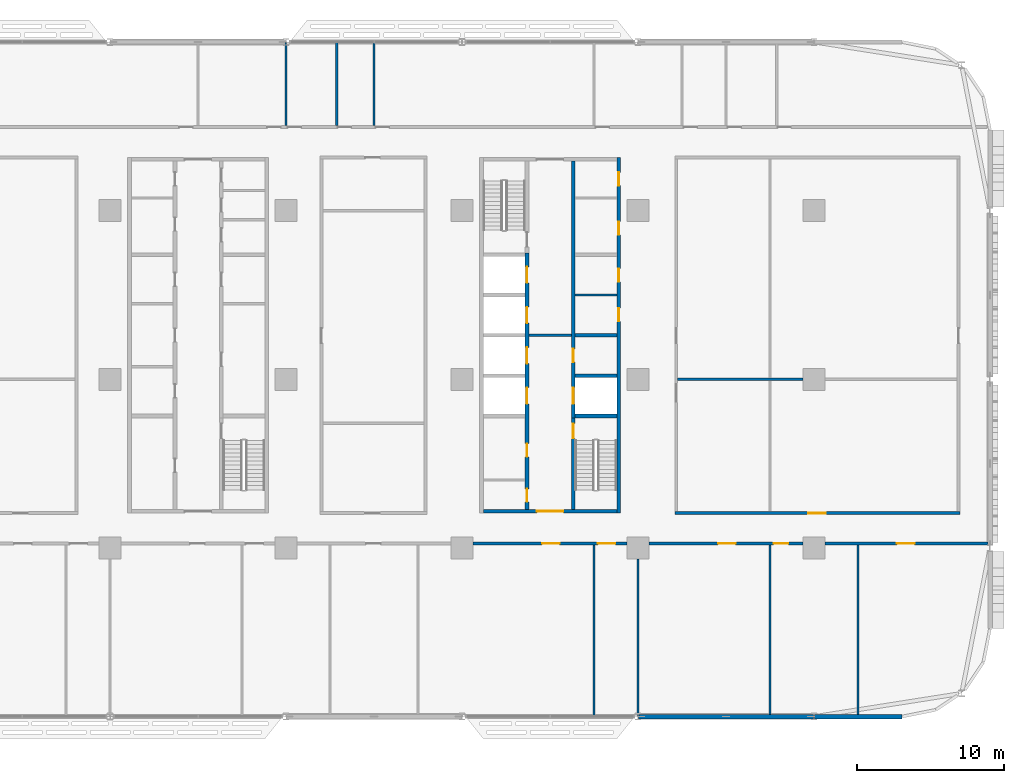
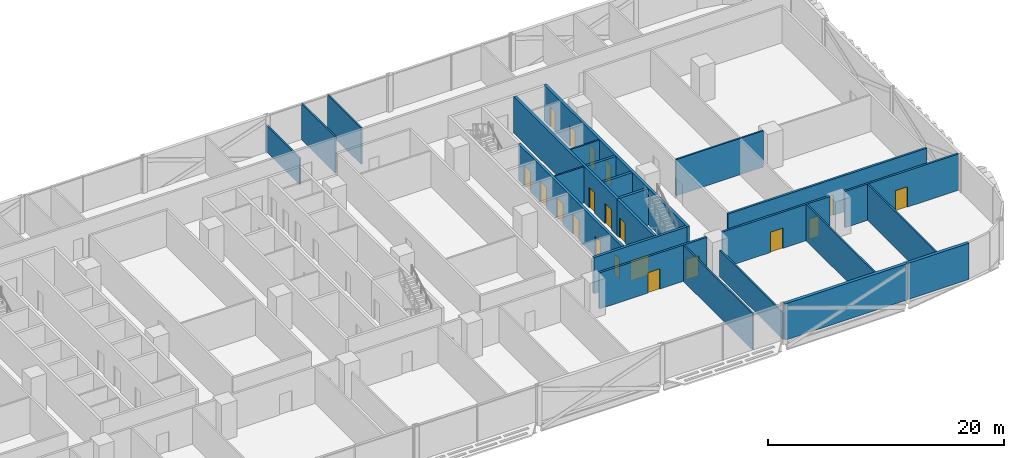
# One storey, part 16 of 29: 24 walls, 20 doors, 20 openings.
"""IFC4 building model written with IfcOpenShell, lengths in metres."""

from ifc_helpers import new_model, si_unit, direction, frame, frame_2d, origin, place, context, subcontext, project, spatial, rectangle, extrude, material, layer, layer_set, type_object, element, fill, save


model = new_model("IFC4")

# Units and contexts
model_context = context("Model", 3, precision=1e-05, world=origin(), true_north=direction((0.0, 1.0)))
body_context = subcontext(model_context, "Body", "Model", "MODEL_VIEW")
ifc_project = project(units=[si_unit("LENGTHUNIT", "METRE"), si_unit("AREAUNIT", "SQUARE_METRE"), si_unit("VOLUMEUNIT", "CUBIC_METRE"), si_unit("PLANEANGLEUNIT", "RADIAN"), si_unit("MASSUNIT", "GRAM", prefix="KILO")], contexts=[model_context])

# Site, building, storey
site_placement = place(None, origin())
site = spatial("IfcSite", under=ifc_project, at=site_placement, CompositionType="ELEMENT")
building_placement = place(site_placement, origin())
building = spatial("IfcBuilding", under=site, at=building_placement, Name="Mahtab Terrace Research Tower", CompositionType="ELEMENT")
storey_placement = place(building_placement, frame((0.0, 0.0, 76.10009765625)))
storey = spatial("IfcBuildingStorey", under=building, at=storey_placement, Name="L17", CompositionType="ELEMENT", Elevation=76.10009765625)

# Walls
ifc_material_1 = material(Name="Gypsum board partition")
ifc_layer_1 = layer(ifc_material_1, 0.14990234375)
ifc_layer_set_1 = layer_set([ifc_layer_1], Name="Core partition 150")
wall_type_1 = type_object("IfcWallType", Name="Core partition 150", PredefinedType="PARTITIONING", material=ifc_layer_set_1)
wall_1_placement = place(storey_placement, frame((22.550048828125, 3.0, 0.0), z_axis=(0.0, 0.0, 1.0), x_axis=(1.0, 0.0, 0.0)))
element("IfcWall", 1, at=wall_1_placement, inside=storey, type_object=wall_type_1, Name="Core wall C ffl", PredefinedType="PARTITIONING", context=body_context, shape_type="SweptSolid", body=[
    extrude(rectangle(XDim=2.89990234375, YDim=0.14990234375, at=frame_2d((1.449951171875, 0.0))), origin(), (0.0, 0.0, 1.0), 3.75),
])
wall_2_placement = place(storey_placement, frame((25.699951171875, 5.75, 0.0), z_axis=(0.0, 0.0, 1.0), x_axis=(1.0, 0.0, 0.0)))
element("IfcWall", 2, at=wall_2_placement, inside=storey, type_object=wall_type_1, Name="Core wall C pEL275", PredefinedType="PARTITIONING", context=body_context, shape_type="SweptSolid", body=[
    extrude(rectangle(XDim=2.85009765625, YDim=0.14990234375, at=frame_2d((1.425048828125, 0.0))), origin(), (0.0, 0.0, 1.0), 3.75),
])

# Wall, openings, doors
ifc_material_2 = material(Name="Concrete C70/85", Category="concrete")
ifc_layer_2 = layer(ifc_material_2, 0.25)
ifc_layer_set_2 = layer_set([ifc_layer_2], Name="Core wall 250")
wall_type_2 = type_object("IfcWallType", Name="Core wall 250", PredefinedType="SOLIDWALL", material=ifc_layer_set_2)
wall_3_placement = place(storey_placement, frame((28.675048828125, -9.125, 0.0), z_axis=(0.0, 0.0, 1.0), x_axis=(0.0, 1.0, 0.0)))
wall_3 = element("IfcWall", 3, at=wall_3_placement, inside=storey, type_object=wall_type_2, Name="Core wall C outerE", PredefinedType="SOLIDWALL", context=body_context, shape_type="SweptSolid", body=[
    extrude(rectangle(XDim=24.25, YDim=0.25, at=frame_2d((12.125, 0.0))), origin(), (0.0, 0.0, 1.0), 3.75),
])
opening_1_placement = place(wall_3_placement, frame((13.074951171875, 0.0, 0.0)))
opening_1 = element("IfcOpeningElement", 4, at=opening_1_placement, cuts=wall_3, Name="Opening C-R2", PredefinedType="OPENING", context=body_context, shape_type="SweptSolid", body=[
    extrude(rectangle(XDim=0.89990234375, YDim=2.10009765625, at=frame_2d((0.449951171875, 1.050048828125))), frame((0.0, 0.135009765625, 0.0), z_axis=(0.0, -1.0, 0.0), x_axis=(1.0, 0.0, 0.0)), (0.0, 0.0, 1.0), 0.27001953125),
])
opening_2_placement = place(wall_3_placement, frame((15.77490234375, 0.0, 0.0)))
opening_2 = element("IfcOpeningElement", 5, at=opening_2_placement, cuts=wall_3, Name="Opening C-R3", PredefinedType="OPENING", context=body_context, shape_type="SweptSolid", body=[
    extrude(rectangle(XDim=0.89990234375, YDim=2.10009765625, at=frame_2d((0.449951171875, 1.050048828125))), frame((0.0, 0.135009765625, 0.0), z_axis=(0.0, -1.0, 0.0), x_axis=(1.0, 0.0, 0.0)), (0.0, 0.0, 1.0), 0.27001953125),
])
opening_3_placement = place(wall_3_placement, frame((18.97509765625, 0.0, 0.0)))
opening_3 = element("IfcOpeningElement", 6, at=opening_3_placement, cuts=wall_3, Name="Opening C-R6", PredefinedType="OPENING", context=body_context, shape_type="SweptSolid", body=[
    extrude(rectangle(XDim=0.89990234375, YDim=2.10009765625, at=frame_2d((0.449951171875, 1.050048828125))), frame((0.0, 0.135009765625, 0.0), z_axis=(0.0, -1.0, 0.0), x_axis=(1.0, 0.0, 0.0)), (0.0, 0.0, 1.0), 0.27001953125),
])
opening_4_placement = place(wall_3_placement, frame((22.327392578125, 0.0, 0.0)))
opening_4 = element("IfcOpeningElement", 7, at=opening_4_placement, cuts=wall_3, Name="Opening C-R7", PredefinedType="OPENING", context=body_context, shape_type="SweptSolid", body=[
    extrude(rectangle(XDim=0.89990234375, YDim=2.10009765625, at=frame_2d((0.449951171875, 1.050048828125))), frame((0.0, 0.135009765625, 0.0), z_axis=(0.0, -1.0, 0.0), x_axis=(1.0, 0.0, 0.0)), (0.0, 0.0, 1.0), 0.27001953125),
])
ifc_material_3 = material(Name="Steel fire door", Category="steel")
door_type_1 = type_object("IfcDoorType", Name="Room door 900x2100 1 HR", OperationType="NOTDEFINED", PredefinedType="DOOR", material=ifc_material_3)
door_1_placement = place(opening_1_placement, origin())
door_1 = element("IfcDoor", 8, at=door_1_placement, inside=storey, type_object=door_type_1, Name="Document store door", OperationType="SINGLE_SWING_RIGHT", OverallHeight=2.10009765625, OverallWidth=0.89990234375, PredefinedType="DOOR", context=body_context, shape_type="SweptSolid", body=[
    extrude(rectangle(XDim=0.89990234375, YDim=2.10009765625, at=frame_2d((0.449951171875, 1.050048828125))), frame((0.0, 0.02490234375, 0.0), z_axis=(0.0, -1.0, 0.0), x_axis=(1.0, 0.0, 0.0)), (0.0, 0.0, 1.0), 0.050048828125),
])
fill(opening_1, door_1)
door_2_placement = place(opening_2_placement, origin())
door_2 = element("IfcDoor", 9, at=door_2_placement, inside=storey, type_object=door_type_1, Name="IT equipment room door", OperationType="SINGLE_SWING_LEFT", OverallHeight=2.10009765625, OverallWidth=0.89990234375, PredefinedType="DOOR", context=body_context, shape_type="SweptSolid", body=[
    extrude(rectangle(XDim=0.89990234375, YDim=2.10009765625, at=frame_2d((0.449951171875, 1.050048828125))), frame((0.0, 0.02490234375, 0.0), z_axis=(0.0, -1.0, 0.0), x_axis=(1.0, 0.0, 0.0)), (0.0, 0.0, 1.0), 0.050048828125),
])
fill(opening_2, door_2)
door_3_placement = place(opening_3_placement, origin())
door_3 = element("IfcDoor", 10, at=door_3_placement, inside=storey, type_object=door_type_1, Name="Pantry door", OperationType="SINGLE_SWING_RIGHT", OverallHeight=2.10009765625, OverallWidth=0.89990234375, PredefinedType="DOOR", context=body_context, shape_type="SweptSolid", body=[
    extrude(rectangle(XDim=0.89990234375, YDim=2.10009765625, at=frame_2d((0.449951171875, 1.050048828125))), frame((0.0, 0.02490234375, 0.0), z_axis=(0.0, -1.0, 0.0), x_axis=(1.0, 0.0, 0.0)), (0.0, 0.0, 1.0), 0.050048828125),
])
fill(opening_3, door_3)
door_4_placement = place(opening_4_placement, origin())
door_4 = element("IfcDoor", 11, at=door_4_placement, inside=storey, type_object=door_type_1, Name="Linen store door", OperationType="SINGLE_SWING_LEFT", OverallHeight=2.10009765625, OverallWidth=0.89990234375, PredefinedType="DOOR", context=body_context, shape_type="SweptSolid", body=[
    extrude(rectangle(XDim=0.89990234375, YDim=2.10009765625, at=frame_2d((0.449951171875, 1.050048828125))), frame((0.0, 0.02490234375, 0.0), z_axis=(0.0, -1.0, 0.0), x_axis=(1.0, 0.0, 0.0)), (0.0, 0.0, 1.0), 0.050048828125),
])
fill(opening_4, door_4)

# Wall, opening, door
wall_4_placement = place(storey_placement, frame((28.550048828125, -9.0, 0.0), z_axis=(0.0, 0.0, 1.0), x_axis=(-1.0, 0.0, 0.0)))
wall_4 = element("IfcWall", 12, at=wall_4_placement, inside=storey, type_object=wall_type_2, Name="Core wall C endS", PredefinedType="SOLIDWALL", context=body_context, shape_type="SweptSolid", body=[
    extrude(rectangle(XDim=9.10009765625, YDim=0.25, at=frame_2d((4.550048828125, 0.0))), origin(), (0.0, 0.0, 1.0), 3.75),
])
opening_5_placement = place(wall_4_placement, frame((3.64990234375, 0.0, 0.0)))
opening_5 = element("IfcOpeningElement", 13, at=opening_5_placement, cuts=wall_4, Name="Opening C-S1", PredefinedType="OPENING", context=body_context, shape_type="SweptSolid", body=[
    extrude(rectangle(XDim=1.800048828125, YDim=2.10009765625, at=frame_2d((0.89990234375, 1.050048828125))), frame((0.0, 0.135009765625, 0.0), z_axis=(0.0, -1.0, 0.0), x_axis=(1.0, 0.0, 0.0)), (0.0, 0.0, 1.0), 0.27001953125),
])
door_type_2 = type_object("IfcDoorType", Name="Lobby double door 1800x2100 1 HR", OperationType="DOUBLE_DOOR_SINGLE_SWING", PredefinedType="DOOR", material=ifc_material_3)
door_5_placement = place(opening_5_placement, origin())
door_5 = element("IfcDoor", 14, at=door_5_placement, inside=storey, type_object=door_type_2, Name="Core entrance door C S", OperationType="DOUBLE_DOOR_SINGLE_SWING", OverallHeight=2.10009765625, OverallWidth=1.800048828125, PredefinedType="DOOR", context=body_context, shape_type="SweptSolid", body=[
    extrude(rectangle(XDim=1.800048828125, YDim=2.10009765625, at=frame_2d((0.89990234375, 1.050048828125))), frame((0.0, 0.02490234375, 0.0), z_axis=(0.0, -1.0, 0.0), x_axis=(1.0, 0.0, 0.0)), (0.0, 0.0, 1.0), 0.050048828125),
])
fill(opening_5, door_5)

# Wall, openings, doors
wall_5_placement = place(storey_placement, frame((22.425048828125, -8.875, 0.0), z_axis=(0.0, 0.0, 1.0), x_axis=(0.0, 1.0, 0.0)))
wall_5 = element("IfcWall", 15, at=wall_5_placement, inside=storey, type_object=wall_type_2, Name="Core wall C innerWSL", PredefinedType="SOLIDWALL", context=body_context, shape_type="SweptSolid", body=[
    extrude(rectangle(XDim=17.5, YDim=0.25, at=frame_2d((8.75, 0.0))), origin(), (0.0, 0.0, 1.0), 3.75),
])
opening_6_placement = place(wall_5_placement, frame((7.199951171875, 0.0, 0.0)))
opening_6 = element("IfcOpeningElement", 16, at=opening_6_placement, cuts=wall_5, Name="Opening LD17-L17", PredefinedType="OPENING", context=body_context, shape_type="SweptSolid", body=[
    extrude(rectangle(XDim=1.10009765625, YDim=2.10009765625, at=frame_2d((0.550048828125, 1.050048828125))), frame((0.0, 0.135009765625, 0.0), z_axis=(0.0, -1.0, 0.0), x_axis=(1.0, 0.0, 0.0)), (0.0, 0.0, 1.0), 0.27001953125),
])
opening_7_placement = place(wall_5_placement, frame((9.949951171875, 0.0, 0.0)))
opening_7 = element("IfcOpeningElement", 17, at=opening_7_placement, cuts=wall_5, Name="Opening LD18-L17", PredefinedType="OPENING", context=body_context, shape_type="SweptSolid", body=[
    extrude(rectangle(XDim=1.10009765625, YDim=2.10009765625, at=frame_2d((0.550048828125, 1.050048828125))), frame((0.0, 0.135009765625, 0.0), z_axis=(0.0, -1.0, 0.0), x_axis=(1.0, 0.0, 0.0)), (0.0, 0.0, 1.0), 0.27001953125),
])
opening_8_placement = place(wall_5_placement, frame((12.699951171875, 0.0, 0.0)))
opening_8 = element("IfcOpeningElement", 18, at=opening_8_placement, cuts=wall_5, Name="Opening LD19-L17", PredefinedType="OPENING", context=body_context, shape_type="SweptSolid", body=[
    extrude(rectangle(XDim=1.10009765625, YDim=2.10009765625, at=frame_2d((0.550048828125, 1.050048828125))), frame((0.0, 0.135009765625, 0.0), z_axis=(0.0, -1.0, 0.0), x_axis=(1.0, 0.0, 0.0)), (0.0, 0.0, 1.0), 0.27001953125),
])
opening_9_placement = place(wall_5_placement, frame((15.449951171875, 0.0, 0.0)))
opening_9 = element("IfcOpeningElement", 19, at=opening_9_placement, cuts=wall_5, Name="Opening LD20-L17", PredefinedType="OPENING", context=body_context, shape_type="SweptSolid", body=[
    extrude(rectangle(XDim=1.10009765625, YDim=2.10009765625, at=frame_2d((0.550048828125, 1.050048828125))), frame((0.0, 0.135009765625, 0.0), z_axis=(0.0, -1.0, 0.0), x_axis=(1.0, 0.0, 0.0)), (0.0, 0.0, 1.0), 0.27001953125),
])
opening_10_placement = place(wall_5_placement, frame((0.512451171875, 0.0, 0.0)))
opening_10 = element("IfcOpeningElement", 20, at=opening_10_placement, cuts=wall_5, Name="Opening C-R4", PredefinedType="OPENING", context=body_context, shape_type="SweptSolid", body=[
    extrude(rectangle(XDim=0.89990234375, YDim=2.10009765625, at=frame_2d((0.449951171875, 1.050048828125))), frame((0.0, 0.135009765625, 0.0), z_axis=(0.0, -1.0, 0.0), x_axis=(1.0, 0.0, 0.0)), (0.0, 0.0, 1.0), 0.27001953125),
])
opening_11_placement = place(wall_5_placement, frame((3.58740234375, 0.0, 0.0)))
opening_11 = element("IfcOpeningElement", 21, at=opening_11_placement, cuts=wall_5, Name="Opening C-R5", PredefinedType="OPENING", context=body_context, shape_type="SweptSolid", body=[
    extrude(rectangle(XDim=0.89990234375, YDim=2.10009765625, at=frame_2d((0.449951171875, 1.050048828125))), frame((0.0, 0.135009765625, 0.0), z_axis=(0.0, -1.0, 0.0), x_axis=(1.0, 0.0, 0.0)), (0.0, 0.0, 1.0), 0.27001953125),
])
ifc_material_4 = material(Name="Stainless steel AISI 304", Category="steel")
door_type_3 = type_object("IfcDoorType", Name="Landing door 1100x2100", OperationType="DOUBLE_DOOR_SLIDING", PredefinedType="DOOR", material=ifc_material_4)
door_6_placement = place(opening_6_placement, origin())
door_6 = element("IfcDoor", 22, at=door_6_placement, inside=storey, type_object=door_type_3, Name="Landing door SV1 L17", OperationType="DOUBLE_DOOR_SLIDING", OverallHeight=2.10009765625, OverallWidth=1.10009765625, PredefinedType="DOOR", context=body_context, shape_type="SweptSolid", body=[
    extrude(rectangle(XDim=1.10009765625, YDim=2.10009765625, at=frame_2d((0.550048828125, 1.050048828125))), frame((0.0, 0.02490234375, 0.0), z_axis=(0.0, -1.0, 0.0), x_axis=(1.0, 0.0, 0.0)), (0.0, 0.0, 1.0), 0.050048828125),
])
fill(opening_6, door_6)
door_7_placement = place(opening_7_placement, origin())
door_7 = element("IfcDoor", 23, at=door_7_placement, inside=storey, type_object=door_type_3, Name="Landing door SV2 L17", OperationType="DOUBLE_DOOR_SLIDING", OverallHeight=2.10009765625, OverallWidth=1.10009765625, PredefinedType="DOOR", context=body_context, shape_type="SweptSolid", body=[
    extrude(rectangle(XDim=1.10009765625, YDim=2.10009765625, at=frame_2d((0.550048828125, 1.050048828125))), frame((0.0, 0.02490234375, 0.0), z_axis=(0.0, -1.0, 0.0), x_axis=(1.0, 0.0, 0.0)), (0.0, 0.0, 1.0), 0.050048828125),
])
fill(opening_7, door_7)
door_8_placement = place(opening_8_placement, origin())
door_8 = element("IfcDoor", 24, at=door_8_placement, inside=storey, type_object=door_type_3, Name="Landing door FF1 L17", OperationType="DOUBLE_DOOR_SLIDING", OverallHeight=2.10009765625, OverallWidth=1.10009765625, PredefinedType="DOOR", context=body_context, shape_type="SweptSolid", body=[
    extrude(rectangle(XDim=1.10009765625, YDim=2.10009765625, at=frame_2d((0.550048828125, 1.050048828125))), frame((0.0, 0.02490234375, 0.0), z_axis=(0.0, -1.0, 0.0), x_axis=(1.0, 0.0, 0.0)), (0.0, 0.0, 1.0), 0.050048828125),
])
fill(opening_8, door_8)
door_9_placement = place(opening_9_placement, origin())
door_9 = element("IfcDoor", 25, at=door_9_placement, inside=storey, type_object=door_type_3, Name="Landing door FF2 L17", OperationType="DOUBLE_DOOR_SLIDING", OverallHeight=2.10009765625, OverallWidth=1.10009765625, PredefinedType="DOOR", context=body_context, shape_type="SweptSolid", body=[
    extrude(rectangle(XDim=1.10009765625, YDim=2.10009765625, at=frame_2d((0.550048828125, 1.050048828125))), frame((0.0, 0.02490234375, 0.0), z_axis=(0.0, -1.0, 0.0), x_axis=(1.0, 0.0, 0.0)), (0.0, 0.0, 1.0), 0.050048828125),
])
fill(opening_9, door_9)
door_10_placement = place(opening_10_placement, origin())
door_10 = element("IfcDoor", 26, at=door_10_placement, inside=storey, type_object=door_type_1, Name="Accessible WC door", OperationType="SINGLE_SWING_RIGHT", OverallHeight=2.10009765625, OverallWidth=0.89990234375, PredefinedType="DOOR", context=body_context, shape_type="SweptSolid", body=[
    extrude(rectangle(XDim=0.89990234375, YDim=2.10009765625, at=frame_2d((0.449951171875, 1.050048828125))), frame((0.0, 0.02490234375, 0.0), z_axis=(0.0, -1.0, 0.0), x_axis=(1.0, 0.0, 0.0)), (0.0, 0.0, 1.0), 0.050048828125),
])
fill(opening_10, door_10)
door_11_placement = place(opening_11_placement, origin())
door_11 = element("IfcDoor", 27, at=door_11_placement, inside=storey, type_object=door_type_1, Name="WC block door", OperationType="SINGLE_SWING_LEFT", OverallHeight=2.10009765625, OverallWidth=0.89990234375, PredefinedType="DOOR", context=body_context, shape_type="SweptSolid", body=[
    extrude(rectangle(XDim=0.89990234375, YDim=2.10009765625, at=frame_2d((0.449951171875, 1.050048828125))), frame((0.0, 0.02490234375, 0.0), z_axis=(0.0, -1.0, 0.0), x_axis=(1.0, 0.0, 0.0)), (0.0, 0.0, 1.0), 0.050048828125),
])
fill(opening_11, door_11)

# Wall, opening, door
wall_6_placement = place(storey_placement, frame((25.574951171875, -8.875, 0.0), z_axis=(0.0, 0.0, 1.0), x_axis=(0.0, 1.0, 0.0)))
wall_6 = element("IfcWall", 28, at=wall_6_placement, inside=storey, type_object=wall_type_2, Name="Core wall C innerES", PredefinedType="SOLIDWALL", context=body_context, shape_type="SweptSolid", body=[
    extrude(rectangle(XDim=6.25, YDim=0.25, at=frame_2d((3.125, 0.0))), origin(), (0.0, 0.0, 1.0), 3.75),
])
opening_12_placement = place(wall_6_placement, frame((4.85009765625, 0.0, 0.0)))
opening_12 = element("IfcOpeningElement", 29, at=opening_12_placement, cuts=wall_6, Name="Opening C-ST4", PredefinedType="OPENING", context=body_context, shape_type="SweptSolid", body=[
    extrude(rectangle(XDim=1.0, YDim=2.10009765625, at=frame_2d((0.5, 1.050048828125))), frame((0.0, 0.135009765625, 0.0), z_axis=(0.0, -1.0, 0.0), x_axis=(1.0, 0.0, 0.0)), (0.0, 0.0, 1.0), 0.27001953125),
])
door_type_4 = type_object("IfcDoorType", Name="Stair door 1000x2100 1.5 HR", OperationType="NOTDEFINED", PredefinedType="DOOR", material=ifc_material_3)
door_12_placement = place(opening_12_placement, origin())
door_12 = element("IfcDoor", 30, at=door_12_placement, inside=storey, type_object=door_type_4, Name="Stair door ST4 L17", OperationType="SINGLE_SWING_LEFT", OverallHeight=2.10009765625, OverallWidth=1.0, PredefinedType="DOOR", context=body_context, shape_type="SweptSolid", body=[
    extrude(rectangle(XDim=1.0, YDim=2.10009765625, at=frame_2d((0.5, 1.050048828125))), frame((0.0, 0.02490234375, 0.0), z_axis=(0.0, -1.0, 0.0), x_axis=(1.0, 0.0, 0.0)), (0.0, 0.0, 1.0), 0.050048828125),
])
fill(opening_12, door_12)

# Wall, openings, doors
wall_7_placement = place(storey_placement, frame((25.574951171875, 14.875, 0.0), z_axis=(0.0, 0.0, 1.0), x_axis=(0.0, -1.0, 0.0)))
wall_7 = element("IfcWall", 31, at=wall_7_placement, inside=storey, type_object=wall_type_2, Name="Core wall C innerELN", PredefinedType="SOLIDWALL", context=body_context, shape_type="SweptSolid", body=[
    extrude(rectangle(XDim=17.5, YDim=0.25, at=frame_2d((8.75, 0.0))), origin(), (0.0, 0.0, 1.0), 3.75),
])
opening_13_placement = place(wall_7_placement, frame((15.449951171875, 0.0, 0.0)))
opening_13 = element("IfcOpeningElement", 32, at=opening_13_placement, cuts=wall_7, Name="Opening LD21-L17", PredefinedType="OPENING", context=body_context, shape_type="SweptSolid", body=[
    extrude(rectangle(XDim=1.10009765625, YDim=2.10009765625, at=frame_2d((0.550048828125, 1.050048828125))), frame((0.0, 0.135009765625, 0.0), z_axis=(0.0, -1.0, 0.0), x_axis=(1.0, 0.0, 0.0)), (0.0, 0.0, 1.0), 0.27001953125),
])
opening_14_placement = place(wall_7_placement, frame((12.800048828125, 0.0, 0.0)))
opening_14 = element("IfcOpeningElement", 33, at=opening_14_placement, cuts=wall_7, Name="Opening C-R1", PredefinedType="OPENING", context=body_context, shape_type="SweptSolid", body=[
    extrude(rectangle(XDim=0.89990234375, YDim=2.10009765625, at=frame_2d((0.449951171875, 1.050048828125))), frame((0.0, 0.135009765625, 0.0), z_axis=(0.0, -1.0, 0.0), x_axis=(1.0, 0.0, 0.0)), (0.0, 0.0, 1.0), 0.27001953125),
])
door_13_placement = place(opening_13_placement, origin())
door_13 = element("IfcDoor", 34, at=door_13_placement, inside=storey, type_object=door_type_3, Name="Landing door SV3 L17", OperationType="DOUBLE_DOOR_SLIDING", OverallHeight=2.10009765625, OverallWidth=1.10009765625, PredefinedType="DOOR", context=body_context, shape_type="SweptSolid", body=[
    extrude(rectangle(XDim=1.10009765625, YDim=2.10009765625, at=frame_2d((0.550048828125, 1.050048828125))), frame((0.0, 0.02490234375, 0.0), z_axis=(0.0, -1.0, 0.0), x_axis=(1.0, 0.0, 0.0)), (0.0, 0.0, 1.0), 0.050048828125),
])
fill(opening_13, door_13)
door_14_placement = place(opening_14_placement, origin())
door_14 = element("IfcDoor", 35, at=door_14_placement, inside=storey, type_object=door_type_1, Name="Plant room door", OperationType="SINGLE_SWING_LEFT", OverallHeight=2.10009765625, OverallWidth=0.89990234375, PredefinedType="DOOR", context=body_context, shape_type="SweptSolid", body=[
    extrude(rectangle(XDim=0.89990234375, YDim=2.10009765625, at=frame_2d((0.449951171875, 1.050048828125))), frame((0.0, 0.02490234375, 0.0), z_axis=(0.0, -1.0, 0.0), x_axis=(1.0, 0.0, 0.0)), (0.0, 0.0, 1.0), 0.050048828125),
])
fill(opening_14, door_14)

# Walls
for number, where, z_axis, x_axis, name in (
    (36, (25.699951171875, -2.5, 0.0), (0.0, 0.0, 1.0), (1.0, 0.0, 0.0), "Core wall C divE0"),
    (37, (25.699951171875, 0.25, 0.0), (0.0, 0.0, 1.0), (1.0, 0.0, 0.0), "Core wall C divE1"),
    (38, (25.699951171875, 3.0, 0.0), (0.0, 0.0, 1.0), (1.0, 0.0, 0.0), "Core wall C divE2"),
):
    element("IfcWall", number, at=place(storey_placement, frame(where, z_axis=z_axis, x_axis=x_axis)), inside=storey, type_object=wall_type_2, Name=name, PredefinedType="SOLIDWALL", context=body_context, shape_type="SweptSolid", body=[
        extrude(rectangle(XDim=2.85009765625, YDim=0.25, at=frame_2d((1.425048828125, 0.0))), origin(), (0.0, 0.0, 1.0), 3.75),
    ])
ifc_material_5 = material(Name="Black aluminium cladding panel", Category="aluminium")
ifc_layer_3 = layer(ifc_material_5, 0.300048828125)
ifc_layer_set_3 = layer_set([ifc_layer_3], Name="Opaque facade wall 300")
wall_type_3 = type_object("IfcWallType", Name="Opaque facade wall 300", PredefinedType="NOTDEFINED", material=ifc_layer_set_3)
wall_8_placement = place(storey_placement, frame((30.02392578125, -23.0, 0.0), z_axis=(0.0, 0.0, 1.0), x_axis=(1.0, 0.0, 0.0)))
element("IfcWall", 39, at=wall_8_placement, inside=storey, type_object=wall_type_3, Name="Opaque facade wall L17 S29", PredefinedType="NOTDEFINED", context=body_context, shape_type="SweptSolid", body=[
    extrude(rectangle(XDim=11.9521484375, YDim=0.300048828125, at=frame_2d((5.97607421875, 0.0))), origin(), (0.0, 0.0, 1.0), 3.75),
])
wall_9_placement = place(storey_placement, frame((42.02392578125, -23.0, 0.0), z_axis=(0.0, 0.0, 1.0), x_axis=(1.0, 0.0, 0.0)))
element("IfcWall", 40, at=wall_9_placement, inside=storey, type_object=wall_type_3, Name="Opaque facade wall L17 S30", PredefinedType="NOTDEFINED", context=body_context, shape_type="SweptSolid", body=[
    extrude(rectangle(XDim=5.97607421875, YDim=0.300048828125, at=frame_2d((2.988037109375, 0.0))), origin(), (0.0, 0.0, 1.0), 3.75),
])

# Wall, openings, doors
ifc_material_6 = material(Name="Gypsum board corridor wall on steel studs", Category="steel")
ifc_layer_4 = layer(ifc_material_6, 0.199951171875)
ifc_layer_set_4 = layer_set([ifc_layer_4], Name="WALL CORRIDOR 200")
wall_type_4 = type_object("IfcWallType", Name="WALL CORRIDOR 200", PredefinedType="PARTITIONING", material=ifc_layer_set_4)
wall_10_placement = place(storey_placement, frame((18.75, -11.199951171875, 0.0), z_axis=(0.0, 0.0, 1.0), x_axis=(1.0, 0.0, 0.0)))
wall_10 = element("IfcWall", 41, at=wall_10_placement, inside=storey, type_object=wall_type_4, Name="L17-W006", PredefinedType="PARTITIONING", context=body_context, shape_type="SweptSolid", body=[
    extrude(rectangle(XDim=10.5, YDim=0.199951171875, at=frame_2d((5.25, 0.0))), origin(), (0.0, 0.0, 1.0), 3.75),
])
opening_15_placement = place(wall_10_placement, frame((4.699951171875, 0.0, 0.0)))
opening_15 = element("IfcOpeningElement", 42, at=opening_15_placement, cuts=wall_10, Name="Opening L17-109", PredefinedType="OPENING", context=body_context, shape_type="SweptSolid", body=[
    extrude(rectangle(XDim=1.199951171875, YDim=2.10009765625, at=frame_2d((0.60009765625, 1.050048828125))), frame((0.0, 0.10986328125, 0.0), z_axis=(0.0, -1.0, 0.0), x_axis=(1.0, 0.0, 0.0)), (0.0, 0.0, 1.0), 0.219970703125),
])
opening_16_placement = place(wall_10_placement, frame((8.5, 0.0, 0.0)))
opening_16 = element("IfcOpeningElement", 43, at=opening_16_placement, cuts=wall_10, Name="Opening L17-110", PredefinedType="OPENING", context=body_context, shape_type="SweptSolid", body=[
    extrude(rectangle(XDim=1.199951171875, YDim=2.10009765625, at=frame_2d((0.60009765625, 1.050048828125))), frame((0.0, 0.10986328125, 0.0), z_axis=(0.0, -1.0, 0.0), x_axis=(1.0, 0.0, 0.0)), (0.0, 0.0, 1.0), 0.219970703125),
])
ifc_material_7 = material(Name="Timber door leaf in steel frame", Category="steel")
door_type_5 = type_object("IfcDoorType", Name="DOOR 1200X2100 FD30S", OperationType="SINGLE_SWING_LEFT", PredefinedType="DOOR", material=ifc_material_7)
door_15_placement = place(opening_15_placement, origin())
door_15 = element("IfcDoor", 44, at=door_15_placement, inside=storey, type_object=door_type_5, Name="Door L17-109", OperationType="SINGLE_SWING_LEFT", OverallHeight=2.10009765625, OverallWidth=1.199951171875, PredefinedType="DOOR", context=body_context, shape_type="SweptSolid", body=[
    extrude(rectangle(XDim=1.199951171875, YDim=2.10009765625, at=frame_2d((0.60009765625, 1.050048828125))), frame((0.0, 0.02490234375, 0.0), z_axis=(0.0, -1.0, 0.0), x_axis=(1.0, 0.0, 0.0)), (0.0, 0.0, 1.0), 0.050048828125),
])
fill(opening_15, door_15)
door_16_placement = place(opening_16_placement, origin())
door_16 = element("IfcDoor", 45, at=door_16_placement, inside=storey, type_object=door_type_5, Name="Door L17-110", OperationType="SINGLE_SWING_LEFT", OverallHeight=2.10009765625, OverallWidth=1.199951171875, PredefinedType="DOOR", context=body_context, shape_type="SweptSolid", body=[
    extrude(rectangle(XDim=1.199951171875, YDim=2.10009765625, at=frame_2d((0.60009765625, 1.050048828125))), frame((0.0, 0.02490234375, 0.0), z_axis=(0.0, -1.0, 0.0), x_axis=(1.0, 0.0, 0.0)), (0.0, 0.0, 1.0), 0.050048828125),
])
fill(opening_16, door_16)

wall_11_placement = place(storey_placement, frame((30.75, -11.199951171875, 0.0), z_axis=(0.0, 0.0, 1.0), x_axis=(1.0, 0.0, 0.0)))
wall_11 = element("IfcWall", 46, at=wall_11_placement, inside=storey, type_object=wall_type_4, Name="L17-W007", PredefinedType="PARTITIONING", context=body_context, shape_type="SweptSolid", body=[
    extrude(rectangle(XDim=10.5, YDim=0.199951171875, at=frame_2d((5.25, 0.0))), origin(), (0.0, 0.0, 1.0), 3.75),
])
opening_17_placement = place(wall_11_placement, frame((4.699951171875, 0.0, 0.0)))
opening_17 = element("IfcOpeningElement", 47, at=opening_17_placement, cuts=wall_11, Name="Opening L17-111", PredefinedType="OPENING", context=body_context, shape_type="SweptSolid", body=[
    extrude(rectangle(XDim=1.199951171875, YDim=2.10009765625, at=frame_2d((0.60009765625, 1.050048828125))), frame((0.0, 0.10986328125, 0.0), z_axis=(0.0, -1.0, 0.0), x_axis=(1.0, 0.0, 0.0)), (0.0, 0.0, 1.0), 0.219970703125),
])
opening_18_placement = place(wall_11_placement, frame((8.5, 0.0, 0.0)))
opening_18 = element("IfcOpeningElement", 48, at=opening_18_placement, cuts=wall_11, Name="Opening L17-112", PredefinedType="OPENING", context=body_context, shape_type="SweptSolid", body=[
    extrude(rectangle(XDim=1.0, YDim=2.10009765625, at=frame_2d((0.5, 1.050048828125))), frame((0.0, 0.10986328125, 0.0), z_axis=(0.0, -1.0, 0.0), x_axis=(1.0, 0.0, 0.0)), (0.0, 0.0, 1.0), 0.219970703125),
])
door_type_6 = type_object("IfcDoorType", Name="DOOR 1000X2100 FD30S", OperationType="SINGLE_SWING_LEFT", PredefinedType="DOOR", material=ifc_material_7)
door_17_placement = place(opening_18_placement, origin())
door_17 = element("IfcDoor", 49, at=door_17_placement, inside=storey, type_object=door_type_6, Name="Door L17-112", OperationType="SINGLE_SWING_LEFT", OverallHeight=2.10009765625, OverallWidth=1.0, PredefinedType="DOOR", context=body_context, shape_type="SweptSolid", body=[
    extrude(rectangle(XDim=1.0, YDim=2.10009765625, at=frame_2d((0.5, 1.050048828125))), frame((0.0, 0.02490234375, 0.0), z_axis=(0.0, -1.0, 0.0), x_axis=(1.0, 0.0, 0.0)), (0.0, 0.0, 1.0), 0.050048828125),
])
fill(opening_18, door_17)
door_18_placement = place(opening_17_placement, origin())
door_18 = element("IfcDoor", 50, at=door_18_placement, inside=storey, type_object=door_type_5, Name="Door L17-111", OperationType="SINGLE_SWING_LEFT", OverallHeight=2.10009765625, OverallWidth=1.199951171875, PredefinedType="DOOR", context=body_context, shape_type="SweptSolid", body=[
    extrude(rectangle(XDim=1.199951171875, YDim=2.10009765625, at=frame_2d((0.60009765625, 1.050048828125))), frame((0.0, 0.02490234375, 0.0), z_axis=(0.0, -1.0, 0.0), x_axis=(1.0, 0.0, 0.0)), (0.0, 0.0, 1.0), 0.050048828125),
])
fill(opening_17, door_18)

# Wall, opening, door
wall_12_placement = place(storey_placement, frame((42.75, -11.199951171875, 0.0), z_axis=(0.0, 0.0, 1.0), x_axis=(1.0, 0.0, 0.0)))
wall_12 = element("IfcWall", 51, at=wall_12_placement, inside=storey, type_object=wall_type_4, Name="L17-W008", PredefinedType="PARTITIONING", context=body_context, shape_type="SweptSolid", body=[
    extrude(rectangle(XDim=11.10009765625, YDim=0.199951171875, at=frame_2d((5.550048828125, 0.0))), origin(), (0.0, 0.0, 1.0), 3.75),
])
opening_19_placement = place(wall_12_placement, frame((4.89990234375, 0.0, 0.0)))
opening_19 = element("IfcOpeningElement", 52, at=opening_19_placement, cuts=wall_12, Name="Opening L17-113", PredefinedType="OPENING", context=body_context, shape_type="SweptSolid", body=[
    extrude(rectangle(XDim=1.199951171875, YDim=2.10009765625, at=frame_2d((0.60009765625, 1.050048828125))), frame((0.0, 0.10986328125, 0.0), z_axis=(0.0, -1.0, 0.0), x_axis=(1.0, 0.0, 0.0)), (0.0, 0.0, 1.0), 0.219970703125),
])
door_19_placement = place(opening_19_placement, origin())
door_19 = element("IfcDoor", 53, at=door_19_placement, inside=storey, type_object=door_type_5, Name="Door L17-113", OperationType="SINGLE_SWING_RIGHT", OverallHeight=2.10009765625, OverallWidth=1.199951171875, PredefinedType="DOOR", context=body_context, shape_type="SweptSolid", body=[
    extrude(rectangle(XDim=1.199951171875, YDim=2.10009765625, at=frame_2d((0.60009765625, 1.050048828125))), frame((0.0, 0.02490234375, 0.0), z_axis=(0.0, -1.0, 0.0), x_axis=(1.0, 0.0, 0.0)), (0.0, 0.0, 1.0), 0.050048828125),
])
fill(opening_19, door_19)

wall_13_placement = place(storey_placement, frame((32.5, -9.125, 0.0), z_axis=(0.0, 0.0, 1.0), x_axis=(1.0, 0.0, 0.0)))
wall_13 = element("IfcWall", 54, at=wall_13_placement, inside=storey, type_object=wall_type_4, Name="L17-W012", PredefinedType="PARTITIONING", context=body_context, shape_type="SweptSolid", body=[
    extrude(rectangle(XDim=19.449951171875, YDim=0.199951171875, at=frame_2d((9.72509765625, 0.0))), origin(), (0.0, 0.0, 1.0), 3.75),
])
opening_20_placement = place(wall_13_placement, frame((9.10009765625, 0.0, 0.0)))
opening_20 = element("IfcOpeningElement", 55, at=opening_20_placement, cuts=wall_13, Name="Opening L17-118", PredefinedType="OPENING", context=body_context, shape_type="SweptSolid", body=[
    extrude(rectangle(XDim=1.199951171875, YDim=2.10009765625, at=frame_2d((0.60009765625, 1.050048828125))), frame((0.0, 0.10986328125, 0.0), z_axis=(0.0, -1.0, 0.0), x_axis=(1.0, 0.0, 0.0)), (0.0, 0.0, 1.0), 0.219970703125),
])
door_20_placement = place(opening_20_placement, origin())
door_20 = element("IfcDoor", 56, at=door_20_placement, inside=storey, type_object=door_type_5, Name="Door L17-118", OperationType="SINGLE_SWING_LEFT", OverallHeight=2.10009765625, OverallWidth=1.199951171875, PredefinedType="DOOR", context=body_context, shape_type="SweptSolid", body=[
    extrude(rectangle(XDim=1.199951171875, YDim=2.10009765625, at=frame_2d((0.60009765625, 1.050048828125))), frame((0.0, 0.02490234375, 0.0), z_axis=(0.0, -1.0, 0.0), x_axis=(1.0, 0.0, 0.0)), (0.0, 0.0, 1.0), 0.050048828125),
])
fill(opening_20, door_20)

# Walls
ifc_material_8 = material(Name="Gypsum board partition on steel studs", Category="steel")
ifc_layer_5 = layer(ifc_material_8, 0.14990234375)
ifc_layer_set_5 = layer_set([ifc_layer_5], Name="WALL PARTITION 150")
wall_type_5 = type_object("IfcWallType", Name="WALL PARTITION 150", PredefinedType="PARTITIONING", material=ifc_layer_set_5)
wall_14_placement = place(storey_placement, frame((32.699951171875, 0.0, 0.0), z_axis=(0.0, 0.0, 1.0), x_axis=(1.0, 0.0, 0.0)))
element("IfcWall", 57, at=wall_14_placement, inside=storey, type_object=wall_type_5, Name="L17-W016", PredefinedType="PARTITIONING", context=body_context, shape_type="SweptSolid", body=[
    extrude(rectangle(XDim=8.550048828125, YDim=0.14990234375, at=frame_2d((4.27490234375, 0.0))), origin(), (0.0, 0.0, 1.0), 3.75),
])
wall_15_placement = place(storey_placement, frame((6.0, 17.300048828125, 0.0), z_axis=(0.0, 0.0, 1.0), x_axis=(0.0, 1.0, 0.0)))
element("IfcWall", 58, at=wall_15_placement, inside=storey, type_object=wall_type_5, Name="L17-W040", PredefinedType="PARTITIONING", context=body_context, shape_type="SweptSolid", body=[
    extrude(rectangle(XDim=5.675048828125, YDim=0.14990234375, at=frame_2d((2.83740234375, 0.0))), origin(), (0.0, 0.0, 1.0), 2.751220703125),
])
for number, where, z_axis, x_axis, name in (
    (59, (9.449951171875, 17.300048828125, 0.0), (0.0, 0.0, 1.0), (0.0, 1.0, 0.0), "L17-W043"),
    (60, (12.0, 17.300048828125, 0.0), (0.0, 0.0, 1.0), (0.0, 1.0, 0.0), "L17-W044"),
):
    element("IfcWall", number, at=place(storey_placement, frame(where, z_axis=z_axis, x_axis=x_axis)), inside=storey, type_object=wall_type_5, Name=name, PredefinedType="PARTITIONING", context=body_context, shape_type="SweptSolid", body=[
        extrude(rectangle(XDim=5.675048828125, YDim=0.14990234375, at=frame_2d((2.83740234375, 0.0))), origin(), (0.0, 0.0, 1.0), 3.75),
    ])
wall_16_placement = place(storey_placement, frame((27.0, -22.97509765625, 0.0), z_axis=(0.0, 0.0, 1.0), x_axis=(0.0, 1.0, 0.0)))
element("IfcWall", 61, at=wall_16_placement, inside=storey, type_object=wall_type_5, Name="L17-W047", PredefinedType="PARTITIONING", context=body_context, shape_type="SweptSolid", body=[
    extrude(rectangle(XDim=11.675048828125, YDim=0.14990234375, at=frame_2d((5.83740234375, 0.0))), origin(), (0.0, 0.0, 1.0), 3.75),
])
wall_17_placement = place(storey_placement, frame((30.0, -22.97509765625, 0.0), z_axis=(0.0, 0.0, 1.0), x_axis=(0.0, 1.0, 0.0)))
element("IfcWall", 62, at=wall_17_placement, inside=storey, type_object=wall_type_5, Name="L17-W049", PredefinedType="PARTITIONING", context=body_context, shape_type="SweptSolid", body=[
    extrude(rectangle(XDim=10.72509765625, YDim=0.14990234375, at=frame_2d((5.362548828125, 0.0))), origin(), (0.0, 0.0, 1.0), 2.751220703125),
])
for number, where, z_axis, x_axis, name in (
    (63, (39.0, -22.85009765625, 0.0), (0.0, 0.0, 1.0), (0.0, 1.0, 0.0), "L17-W053"),
    (64, (45.0, -22.85009765625, 0.0), (0.0, 0.0, 1.0), (0.0, 1.0, 0.0), "L17-W056"),
):
    element("IfcWall", number, at=place(storey_placement, frame(where, z_axis=z_axis, x_axis=x_axis)), inside=storey, type_object=wall_type_5, Name=name, PredefinedType="PARTITIONING", context=body_context, shape_type="SweptSolid", body=[
        extrude(rectangle(XDim=11.550048828125, YDim=0.14990234375, at=frame_2d((5.77490234375, 0.0))), origin(), (0.0, 0.0, 1.0), 3.75),
    ])

save(model, "model.ifc")
